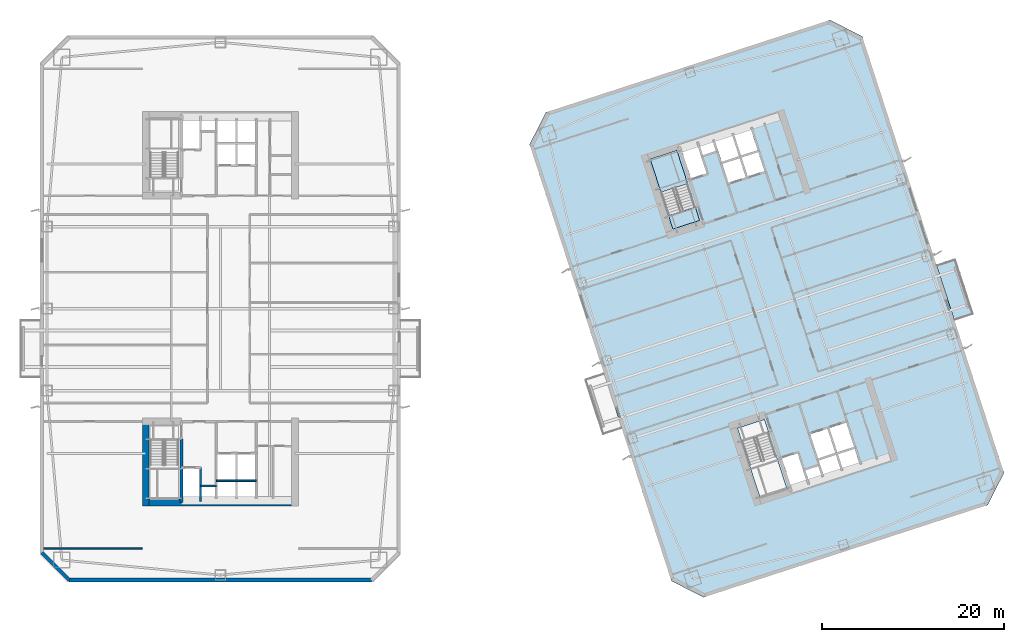
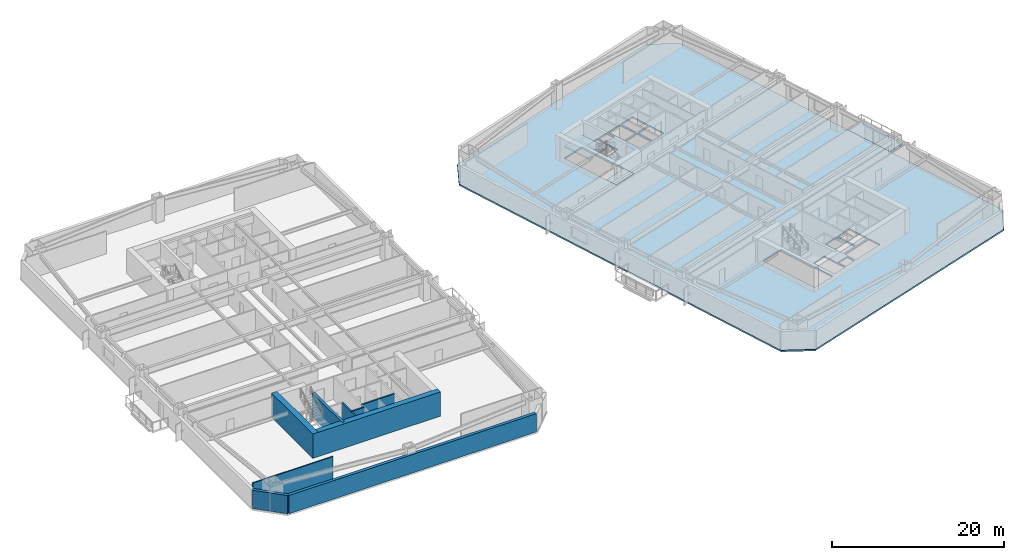
# One storey, part 3 of 18: 9 walls, 4 slabs, 1 element without a shape of its own.
"""IFC4 building model written with IfcOpenShell, lengths in metres."""

from ifc_helpers import new_model, si_unit, direction, frame, frame_2d, origin, place, context, subcontext, project, spatial, polyline, rectangle, outline, extrude, material, layer, layer_set, type_object, element, aggregate, save


model = new_model("IFC4")

# Units and contexts
model_context = context("Model", 3, precision=1e-05, world=origin(), true_north=direction((0.0, 1.0)))
body_context = subcontext(model_context, "Body", "Model", "MODEL_VIEW")
ifc_project = project(units=[si_unit("LENGTHUNIT", "METRE"), si_unit("AREAUNIT", "SQUARE_METRE"), si_unit("VOLUMEUNIT", "CUBIC_METRE"), si_unit("PLANEANGLEUNIT", "RADIAN"), si_unit("MASSUNIT", "GRAM", prefix="KILO")], contexts=[model_context])

# Site, building, storey
site_placement = place(None, origin())
site = spatial("IfcSite", under=ifc_project, at=site_placement, CompositionType="ELEMENT")
building_placement = place(site_placement, origin())
building = spatial("IfcBuilding", under=site, at=building_placement, Name="Qiaolan Cultural Towers", CompositionType="ELEMENT")
storey_placement = place(building_placement, frame((0.0, 0.0, 67.85009765625)))
storey = spatial("IfcBuildingStorey", under=building, at=storey_placement, Name="L16", CompositionType="ELEMENT", Elevation=67.85009765625)

# Slab
ifc_material_1 = material(Name="Concrete C45", Category="concrete")
ifc_layer_1 = layer(ifc_material_1, 0.239990234375)
ifc_layer_set_1 = layer_set([ifc_layer_1], Name="Concrete C45")
slab_type_1 = type_object("IfcSlabType", Name="SL-BAL-240", PredefinedType="FLOOR", material=ifc_layer_set_1)
slab_1_placement = place(storey_placement, frame((0.0, 0.0, -0.239990234375)))
element("IfcSlab", 1, at=slab_1_placement, inside=storey, type_object=slab_type_1, Name="L16 T2 Planted Tree Balcony E", PredefinedType="FLOOR", context=body_context, shape_type="SweptSolid", body=[
    extrude(outline(polyline([(110.60888671875, 32.705078125), (112.701171875, 33.385009765625), (110.723388671875, 39.4716796875), (108.631103515625, 38.791748046875), (110.60888671875, 32.705078125)])), origin(), (0.0, 0.0, 1.0), 0.239990234375),
])

# Stair, slab
ifc_material_2 = material(Name="Concrete C45", Category="concrete")
stair_type = type_object("IfcStairType", Name="STR-CORE-1500", PredefinedType="HALF_TURN_STAIR", material=ifc_material_2)
stair_placement = place(storey_placement, origin())
stair = element("IfcStair", 2, at=stair_placement, inside=storey, type_object=stair_type, Name="L16 Smokeproof Exit Stair ST-E2", PredefinedType="HALF_TURN_STAIR")
ifc_material_3 = material(Name="Concrete C45", Category="concrete")
ifc_layer_2 = layer(ifc_material_3, 0.199951171875)
ifc_layer_set_2 = layer_set([ifc_layer_2], Name="Concrete C45")
slab_type_2 = type_object("IfcSlabType", Name="SL-STAIR-LAND", PredefinedType="LANDING", material=ifc_layer_set_2)
slab_2_placement = place(storey_placement, frame((0.0, 0.0, 1.52490234375)))
slab_2 = element("IfcSlab", 3, at=slab_2_placement, type_object=slab_type_2, Name="ST-E2 landing 1", PredefinedType="LANDING", context=body_context, shape_type="SweptSolid", body=[
    extrude(outline(polyline([(81.31005859375, 47.735595703125), (80.1201171875, 51.3984375), (77.190673828125, 50.44677734375), (78.380859375, 46.783935546875), (81.31005859375, 47.735595703125)])), origin(), (0.0, 0.0, 1.0), 0.199951171875),
])
aggregate(stair, [slab_2])

# Slabs
ifc_material_4 = material(Name="Concrete C40", Category="concrete")
ifc_layer_3 = layer(ifc_material_4, 0.360107421875)
ifc_layer_set_3 = layer_set([ifc_layer_3], Name="Concrete C40")
slab_type_3 = type_object("IfcSlabType", Name="SL-STFLR-360", PredefinedType="LANDING", material=ifc_layer_set_3)
slab_3_placement = place(storey_placement, frame((0.0, 0.0, -0.360107421875)))
element("IfcSlab", 4, at=slab_3_placement, inside=storey, type_object=slab_type_3, Name="L16 ST-E2 Stair Floor Landing Slab", PredefinedType="LANDING", context=body_context, shape_type="SweptSolid", body=[
    extrude(outline(polyline([(82.62060546875, 43.6962890625), (82.141845703125, 45.169677734375), (79.21630859375, 44.21923828125), (79.695068359375, 42.74560546875), (82.62060546875, 43.6962890625)])), origin(), (0.0, 0.0, 1.0), 0.360107421875),
])
ifc_material_5 = material(Name="Concrete C45", Category="concrete")
ifc_layer_4 = layer(ifc_material_5, 0.219970703125)
ifc_layer_set_4 = layer_set([ifc_layer_4], Name="Concrete C45")
slab_type_4 = type_object("IfcSlabType", Name="SL-TYP-220", PredefinedType="FLOOR", material=ifc_layer_set_4)
slab_4_placement = place(storey_placement, frame((0.0, 0.0, -0.22021484375)))
element("IfcSlab", 5, at=slab_4_placement, inside=storey, type_object=slab_type_4, Name="L16 East Tower Floor Slab", PredefinedType="FLOOR", context=body_context, shape_type="SweptSolid", body=[
    extrude(outline(polyline([(83.05517578125, 2.302490234375), (114.249755859375, 12.438232421875), (116.047607421875, 15.966552734375), (100.47314453125, 63.899658203125), (96.94482421875, 65.697509765625), (65.750244140625, 55.561767578125), (63.952392578125, 52.033447265625), (79.52685546875, 4.100341796875), (83.05517578125, 2.302490234375)]), holes=[polyline([(86.80126953125, 20.868896484375), (89.30419921875, 13.165283203125), (92.2333984375, 14.116943359375), (89.73046875, 21.820556640625), (86.80126953125, 20.868896484375)]), polyline([(82.623046875, 43.69482421875), (80.1201171875, 51.3984375), (77.190673828125, 50.44677734375), (79.69384765625, 42.7431640625), (82.623046875, 43.69482421875)]), polyline([(92.666259765625, 14.468017578125), (94.42578125, 15.03955078125), (93.42138671875, 18.130615234375), (91.661865234375, 17.558837890625), (92.666259765625, 14.468017578125)]), polyline([(94.5908203125, 15.14599609375), (96.027099609375, 15.612548828125), (95.66552734375, 16.725341796875), (94.2294921875, 16.258544921875), (94.5908203125, 15.14599609375)]), polyline([(95.643310546875, 17.5380859375), (97.54541015625, 18.15625), (96.68017578125, 20.819091796875), (94.77783203125, 20.201171875), (95.643310546875, 17.5380859375)]), polyline([(97.735595703125, 18.218017578125), (99.58056640625, 18.8173828125), (98.71533203125, 21.48046875), (96.870361328125, 20.880859375), (97.735595703125, 18.218017578125)]), polyline([(96.245849609375, 15.68359375), (100.18310546875, 16.962890625), (99.6484375, 18.608154296875), (95.711181640625, 17.328857421875), (96.245849609375, 15.68359375)]), polyline([(81.6806640625, 48.278076171875), (83.440185546875, 48.849609375), (82.435791015625, 51.940673828125), (80.67626953125, 51.368896484375), (81.6806640625, 48.278076171875)]), polyline([(82.993408203125, 50.839111328125), (84.4296875, 51.3056640625), (84.068115234375, 52.41845703125), (82.632080078125, 51.95166015625), (82.993408203125, 50.839111328125)]), polyline([(85.810302734375, 47.80078125), (87.71240234375, 48.418701171875), (87.013916015625, 50.568115234375), (85.11181640625, 49.9501953125), (85.810302734375, 47.80078125)]), polyline([(87.902587890625, 48.480712890625), (89.74755859375, 49.080078125), (89.04931640625, 51.2294921875), (87.2041015625, 50.6298828125), (87.902587890625, 48.480712890625)]), polyline([(85.05322265625, 50.130859375), (86.936279296875, 50.74267578125), (86.169921875, 53.101318359375), (84.286865234375, 52.489501953125), (85.05322265625, 50.130859375)]), polyline([(87.1455078125, 50.810791015625), (88.990478515625, 51.41015625), (88.22412109375, 53.768798828125), (86.379150390625, 53.169189453125), (87.1455078125, 50.810791015625)])]), origin(), (0.0, 0.0, 1.0), 0.22021484375),
])

# Walls
ifc_material_6 = material(Name="Concrete C50", Category="concrete")
ifc_layer_5 = layer(ifc_material_6, 0.35009765625)
ifc_layer_set_5 = layer_set([ifc_layer_5], Name="Concrete C50")
wall_type_1 = type_object("IfcWallType", Name="WL-CORE-350", PredefinedType="SHEAR", material=ifc_layer_set_5)
wall_1_placement = place(storey_placement, frame((25.719970703125, 19.699951171875, 0.0), z_axis=(0.0, 0.0, 1.0), x_axis=(0.0, -1.0, 0.0)))
element("IfcWall", 6, at=wall_1_placement, inside=storey, type_object=wall_type_1, Name="L16 T1-CS Stair Core Dividing Web", PredefinedType="SHEAR", context=body_context, shape_type="SweptSolid", body=[
    extrude(rectangle(XDim=6.97998046875, YDim=0.35009765625, at=frame_2d((3.489990234375, 0.0))), origin(), (0.0, 0.0, 1.0), 3.449951171875),
])
ifc_material_7 = material(Name="Concrete C60", Category="concrete")
ifc_layer_6 = layer(ifc_material_7, 0.75)
ifc_layer_set_6 = layer_set([ifc_layer_6], Name="Concrete C60")
wall_type_2 = type_object("IfcWallType", Name="WL-CORE-750", PredefinedType="SHEAR", material=ifc_layer_set_6)
wall_2_placement = place(storey_placement, frame((21.425048828125, 12.719970703125, 0.0), z_axis=(0.0, 0.0, 1.0), x_axis=(1.0, 0.0, 0.0)))
element("IfcWall", 7, at=wall_2_placement, inside=storey, type_object=wall_type_2, Name="L16 T1-CS Outer Core Shear Wall", PredefinedType="SHEAR", context=body_context, shape_type="SweptSolid", body=[
    extrude(rectangle(XDim=17.14990234375, YDim=0.75, at=frame_2d((8.574951171875, 0.0))), origin(), (0.0, 0.0, 1.0), 3.449951171875),
])
wall_3_placement = place(storey_placement, frame((21.800048828125, 21.97509765625, 0.0), z_axis=(0.0, 0.0, 1.0), x_axis=(0.0, -1.0, 0.0)))
element("IfcWall", 8, at=wall_3_placement, inside=storey, type_object=wall_type_2, Name="L16 T1-CS West Core Shear Wall", PredefinedType="SHEAR", context=body_context, shape_type="SweptSolid", body=[
    extrude(rectangle(XDim=9.630126953125, YDim=0.75, at=frame_2d((4.81494140625, 0.0))), origin(), (0.0, 0.0, 1.0), 3.449951171875),
])
ifc_material_8 = material(Name="Precast Concrete C50 Honed Stone Pier", Category="masonry")
ifc_layer_7 = layer(ifc_material_8, 0.39990234375)
ifc_layer_set_7 = layer_set([ifc_layer_7], Name="Precast Concrete C50 Honed Stone Pier")
wall_type_3 = type_object("IfcWallType", Name="WL-EXT-PIER-400", PredefinedType="SOLIDWALL", material=ifc_layer_set_7)
wall_4_placement = place(storey_placement, frame((46.60009765625, 4.199951171875, 0.0), z_axis=(0.0, 0.0, 1.0), x_axis=(-1.0, 0.0, 0.0)))
element("IfcWall", 9, at=wall_4_placement, inside=storey, type_object=wall_type_3, Name="L16 West Tower Precast Pier Facade Wall F7", PredefinedType="SOLIDWALL", context=body_context, shape_type="SweptSolid", body=[
    extrude(rectangle(XDim=33.2001953125, YDim=0.39990234375, at=frame_2d((16.60009765625, 0.0))), origin(), (0.0, 0.0, 1.0), 2.60986328125),
])
wall_5_placement = place(storey_placement, frame((13.39990234375, 4.199951171875, 0.0), z_axis=(0.0, 0.0, 1.0), x_axis=(-0.707106781187, 0.707106781187, 0.0)))
element("IfcWall", 10, at=wall_5_placement, inside=storey, type_object=wall_type_3, Name="L16 West Tower Precast Pier Facade Wall F8", PredefinedType="SOLIDWALL", context=body_context, shape_type="SweptSolid", body=[
    extrude(rectangle(XDim=4.24267578125, YDim=0.39990234375, at=frame_2d((2.121337890625, 0.0))), origin(), (0.0, 0.0, 1.0), 2.60986328125),
])
ifc_material_9 = material(Name="Concrete C35 Fire Wall", Category="concrete")
ifc_layer_8 = layer(ifc_material_9, 0.199951171875)
ifc_layer_set_8 = layer_set([ifc_layer_8], Name="Concrete C35 Fire Wall")
wall_type_4 = type_object("IfcWallType", Name="WL-FIRE-200", PredefinedType="PARTITIONING", material=ifc_layer_set_8)
wall_6_placement = place(storey_placement, frame((27.820068359375, 16.550048828125, 0.0), z_axis=(0.0, 0.0, 1.0), x_axis=(0.0, -1.0, 0.0)))
element("IfcWall", 11, at=wall_6_placement, inside=storey, type_object=wall_type_4, Name="L16 T1-CS Firefighting Hoistway East Wall", PredefinedType="PARTITIONING", context=body_context, shape_type="SweptSolid", body=[
    extrude(rectangle(XDim=3.699951171875, YDim=0.199951171875, at=frame_2d((1.85009765625, 0.0))), origin(), (0.0, 0.0, 1.0), 3.1748046875),
])
wall_7_placement = place(storey_placement, frame((27.820068359375, 14.52001953125, 0.0), z_axis=(0.0, 0.0, 1.0), x_axis=(1.0, 0.0, 0.0)))
element("IfcWall", 12, at=wall_7_placement, inside=storey, type_object=wall_type_4, Name="L16 T1-CS Pressurization Shaft Front Wall", PredefinedType="PARTITIONING", context=body_context, shape_type="SweptSolid", body=[
    extrude(rectangle(XDim=1.72998046875, YDim=0.199951171875, at=frame_2d((0.864990234375, 0.0))), origin(), (0.0, 0.0, 1.0), 3.1748046875),
])
wall_8_placement = place(storey_placement, frame((29.550048828125, 15.10009765625, 0.0), z_axis=(0.0, 0.0, 1.0), x_axis=(1.0, 0.0, 0.0)))
element("IfcWall", 13, at=wall_8_placement, inside=storey, type_object=wall_type_4, Name="L16 T1-CS Passenger Lift Shaft Back Wall", PredefinedType="PARTITIONING", context=body_context, shape_type="SweptSolid", body=[
    extrude(rectangle(XDim=4.39990234375, YDim=0.199951171875, at=frame_2d((2.199951171875, 0.0))), origin(), (0.0, 0.0, 1.0), 3.1748046875),
])
ifc_material_10 = material(Name="Autoclaved Aerated Concrete Block B06", Category="concrete")
ifc_layer_9 = layer(ifc_material_10, 0.14990234375)
ifc_layer_set_9 = layer_set([ifc_layer_9], Name="Autoclaved Aerated Concrete Block B06")
wall_type_5 = type_object("IfcWallType", Name="WL-PART-150", PredefinedType="PARTITIONING", material=ifc_layer_set_9)
wall_9_placement = place(storey_placement, frame((10.60009765625, 7.64990234375, 0.0), z_axis=(0.0, 0.0, 1.0), x_axis=(1.0, 0.0, 0.0)))
element("IfcWall", 14, at=wall_9_placement, inside=storey, type_object=wall_type_5, Name="L16 T1 Flank Wall FLK-SW", PredefinedType="PARTITIONING", context=body_context, shape_type="SweptSolid", body=[
    extrude(rectangle(XDim=10.7998046875, YDim=0.14990234375, at=frame_2d((5.39990234375, 0.0))), origin(), (0.0, 0.0, 1.0), 3.1748046875),
])

save(model, "model.ifc")
